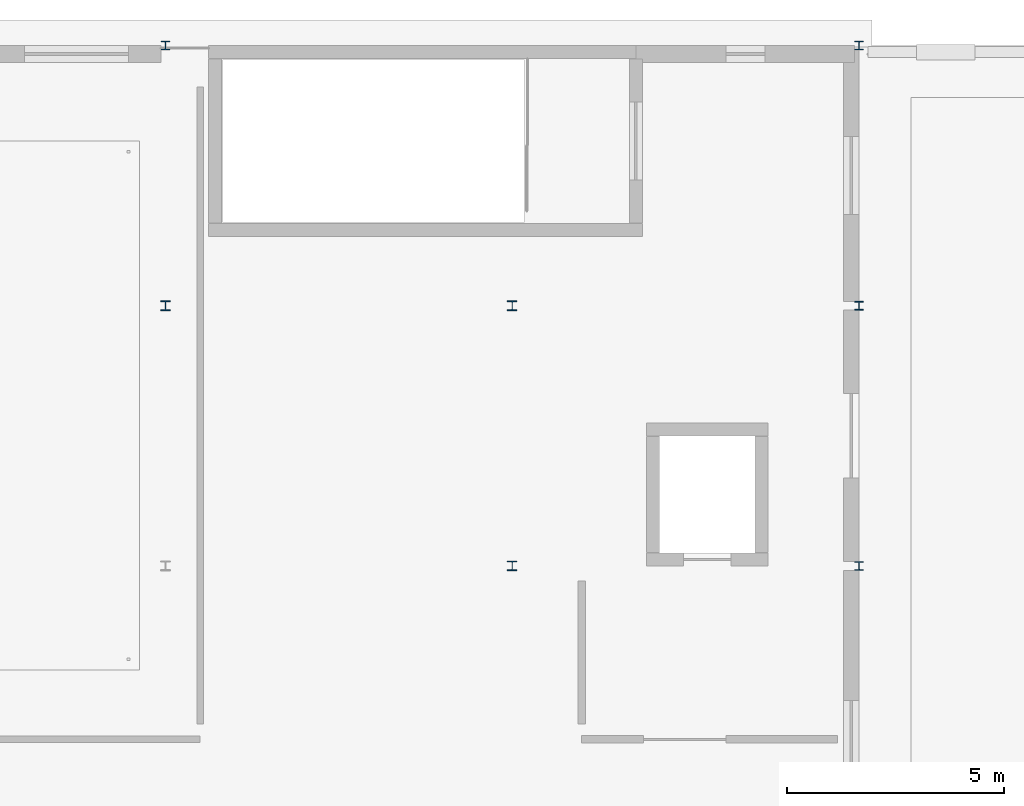
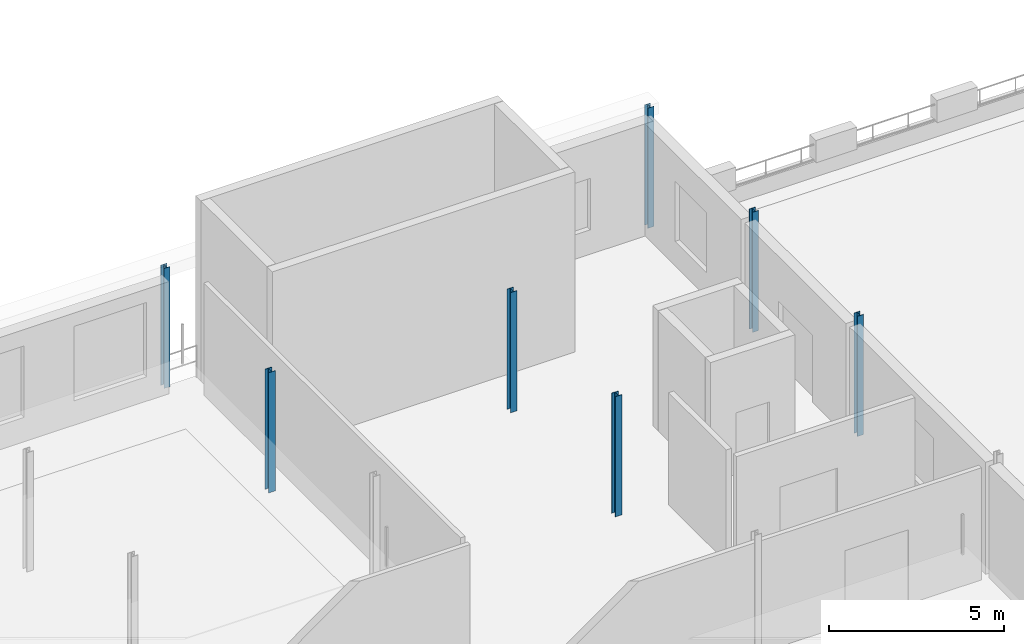
# One storey, part 9 of 67: 7 columns.
"""IFC4 building model written with IfcOpenShell, lengths in metres."""

from ifc_helpers import new_model, si_unit, direction, frame, origin, origin_2d, place, context, subcontext, project, spatial, i_section, extrude, material, material_profile, profile_set, type_object, element, save


model = new_model("IFC4")

# Units and contexts
model_context = context("Model", 3, precision=1e-05, world=origin(), true_north=direction((0.0, 1.0)))
body_context = subcontext(model_context, "Body", "Model", "MODEL_VIEW")
ifc_project = project(units=[si_unit("LENGTHUNIT", "METRE"), si_unit("AREAUNIT", "SQUARE_METRE"), si_unit("VOLUMEUNIT", "CUBIC_METRE"), si_unit("PLANEANGLEUNIT", "RADIAN"), si_unit("MASSUNIT", "GRAM", prefix="KILO")], contexts=[model_context])

# Site, building, storey
site_placement = place(None, origin())
site = spatial("IfcSite", under=ifc_project, at=site_placement, CompositionType="ELEMENT")
building_placement = place(site_placement, origin())
building = spatial("IfcBuilding", under=site, at=building_placement, Name="Sundkrona Museum", CompositionType="ELEMENT")
storey_placement = place(building_placement, frame((0.0, 0.0, 21.800048828125)))
storey = spatial("IfcBuildingStorey", under=building, at=storey_placement, Name="L04", CompositionType="ELEMENT", Elevation=21.800048828125)

# Columns
ifc_material = material(Name="Steel S355J2", Category="steel")
ifc_material_profile_1 = material_profile(ifc_material, i_section(OverallWidth=0.199951171875, OverallDepth=0.199951171875, WebThickness=0.009033203125, FlangeThickness=0.014892578125, FilletRadius=0.01806640625, at=origin_2d()), Name="HEB 200")
ifc_profile_set_1 = profile_set([ifc_material_profile_1], Name="Steel S355J2")
column_type_1 = type_object("IfcColumnType", Name="C-HEB200", PredefinedType="COLUMN", material=ifc_profile_set_1)
for number, where, z_axis, x_axis, name in (
    (1, (40.0, 114.0, 0.0), (0.0, 0.0, 1.0), (1.0, 0.0, 0.0), "L04 Column R/6"),
    (2, (56.0, 102.0, 0.0), (0.0, 0.0, 1.0), (1.0, 0.0, 0.0), "L04 Column P/8"),
    (3, (56.0, 108.0, 0.0), (0.0, 0.0, 1.0), (1.0, 0.0, 0.0), "L04 Column Q/8"),
    (4, (56.0, 114.0, 0.0), (0.0, 0.0, 1.0), (1.0, 0.0, 0.0), "L04 Column R/8"),
):
    element("IfcColumn", number, at=place(storey_placement, frame(where, z_axis=z_axis, x_axis=x_axis)), inside=storey, type_object=column_type_1, Name=name, PredefinedType="COLUMN", context=body_context, shape_type="SweptSolid", body=[
        extrude(i_section(OverallWidth=0.199951171875, OverallDepth=0.199951171875, WebThickness=0.009033203125, FlangeThickness=0.014892578125, FilletRadius=0.01806640625, at=origin_2d()), origin(), (0.0, 0.0, 1.0), 4.199951171875),
    ])
ifc_material_profile_2 = material_profile(ifc_material, i_section(OverallWidth=0.219970703125, OverallDepth=0.219970703125, WebThickness=0.009521484375, FlangeThickness=0.01611328125, FilletRadius=0.01806640625, at=origin_2d()), Name="HEB 220")
ifc_profile_set_2 = profile_set([ifc_material_profile_2], Name="Steel S355J2")
column_type_2 = type_object("IfcColumnType", Name="C-HEB220", PredefinedType="COLUMN", material=ifc_profile_set_2)
for number, where, z_axis, x_axis, name in (
    (5, (40.0, 108.0, 0.0), (0.0, 0.0, 1.0), (1.0, 0.0, 0.0), "L04 Column Q/6"),
    (6, (48.0, 102.0, 0.0), (0.0, 0.0, 1.0), (1.0, 0.0, 0.0), "L04 Column P/7"),
    (7, (48.0, 108.0, 0.0), (0.0, 0.0, 1.0), (1.0, 0.0, 0.0), "L04 Column Q/7"),
):
    element("IfcColumn", number, at=place(storey_placement, frame(where, z_axis=z_axis, x_axis=x_axis)), inside=storey, type_object=column_type_2, Name=name, PredefinedType="COLUMN", context=body_context, shape_type="SweptSolid", body=[
        extrude(i_section(OverallWidth=0.219970703125, OverallDepth=0.219970703125, WebThickness=0.009521484375, FlangeThickness=0.01611328125, FilletRadius=0.01806640625, at=origin_2d()), origin(), (0.0, 0.0, 1.0), 4.199951171875),
    ])

save(model, "model.ifc")
